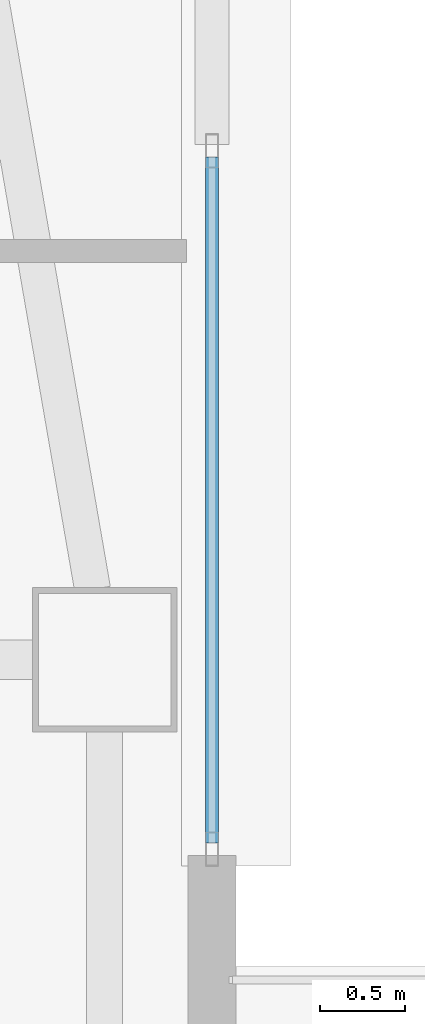
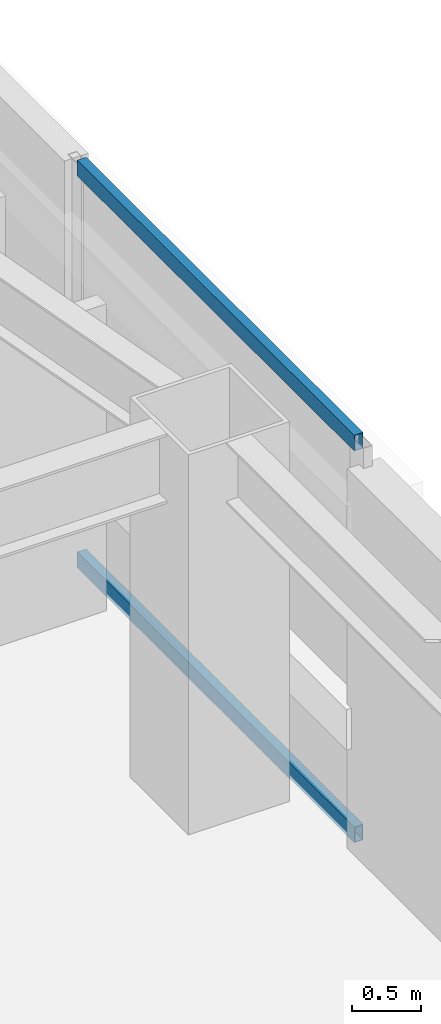
# One storey, part 11 of 40: 2 members, 1 element without a shape of its own.
"""IFC4 building model written with IfcOpenShell, lengths in metres."""

from ifc_helpers import new_model, si_unit, direction, frame, origin, origin_2d, place, context, subcontext, project, spatial, hollow_rectangle, extrude, material, material_profile, profile_set, type_object, element, aggregate, save


model = new_model("IFC4")

# Units and contexts
model_context = context("Model", 3, precision=1e-05, world=origin(), true_north=direction((0.0, 1.0)))
body_context = subcontext(model_context, "Body", "Model", "MODEL_VIEW")
ifc_project = project(units=[si_unit("LENGTHUNIT", "METRE"), si_unit("AREAUNIT", "SQUARE_METRE"), si_unit("VOLUMEUNIT", "CUBIC_METRE"), si_unit("PLANEANGLEUNIT", "RADIAN"), si_unit("MASSUNIT", "GRAM", prefix="KILO")], contexts=[model_context])

# Site, building, storey
site_placement = place(None, origin())
site = spatial("IfcSite", under=ifc_project, at=site_placement, CompositionType="ELEMENT")
building_placement = place(site_placement, origin())
building = spatial("IfcBuilding", under=site, at=building_placement, Name="Tashvorn Skyway Center", CompositionType="ELEMENT")
storey_placement = place(building_placement, frame((0.0, 0.0, 142.800048828125)))
storey = spatial("IfcBuildingStorey", under=building, at=storey_placement, Name="L38", CompositionType="ELEMENT", Elevation=142.800048828125)

# Curtain wall, members
ifc_material = material(Name="Thermally broken bronze-anodized aluminium 6063-T6", Category="aluminium")
curtain_wall_type = type_object("IfcCurtainWallType", Name="CW-CW-Z3", PredefinedType="NOTDEFINED", material=ifc_material)
curtain_wall_placement = place(storey_placement, origin())
curtain_wall = element("IfcCurtainWall", 1, at=curtain_wall_placement, inside=storey, type_object=curtain_wall_type, Name="Tower 1 L38 East Curtain Wall L Glazing Group 1", PredefinedType="NOTDEFINED")
ifc_material_profile = material_profile(ifc_material, hollow_rectangle(XDim=0.074951171875, YDim=0.139892578125, WallThickness=0.004150390625, at=origin_2d()), Name="ALU-TRAN-75x140")
ifc_profile_set = profile_set([ifc_material_profile], Name="Thermally broken bronze-anodized aluminium 6063-T6")
member_type = type_object("IfcMemberType", Name="CWT-CW-Z3", PredefinedType="USERDEFINED", material=ifc_profile_set)
member_1_placement = place(storey_placement, frame((61.280029296875, 40.351806640625, 0.037353515625), z_axis=(0.0, -1.0, 0.0), x_axis=(1.0, 0.0, 0.0)))
member_1 = element("IfcMember", 2, at=member_1_placement, type_object=member_type, Name="CW-Z3 transom 1.1", ObjectType="TRANSOM", PredefinedType="USERDEFINED", context=body_context, shape_type="SweptSolid", body=[
    extrude(hollow_rectangle(XDim=0.074951171875, YDim=0.139892578125, WallThickness=0.004150390625, at=origin_2d()), origin(), (0.0, 0.0, 1.0), 4.02685546875),
])
member_2_placement = place(storey_placement, frame((61.280029296875, 40.351806640625, 3.512451171875), z_axis=(0.0, -1.0, 0.0), x_axis=(1.0, 0.0, 0.0)))
member_2 = element("IfcMember", 3, at=member_2_placement, type_object=member_type, Name="CW-Z3 transom 1.2", ObjectType="TRANSOM", PredefinedType="USERDEFINED", context=body_context, shape_type="SweptSolid", body=[
    extrude(hollow_rectangle(XDim=0.074951171875, YDim=0.139892578125, WallThickness=0.004150390625, at=origin_2d()), origin(), (0.0, 0.0, 1.0), 4.02685546875),
])
aggregate(curtain_wall, [member_1, member_2])

save(model, "model.ifc")
